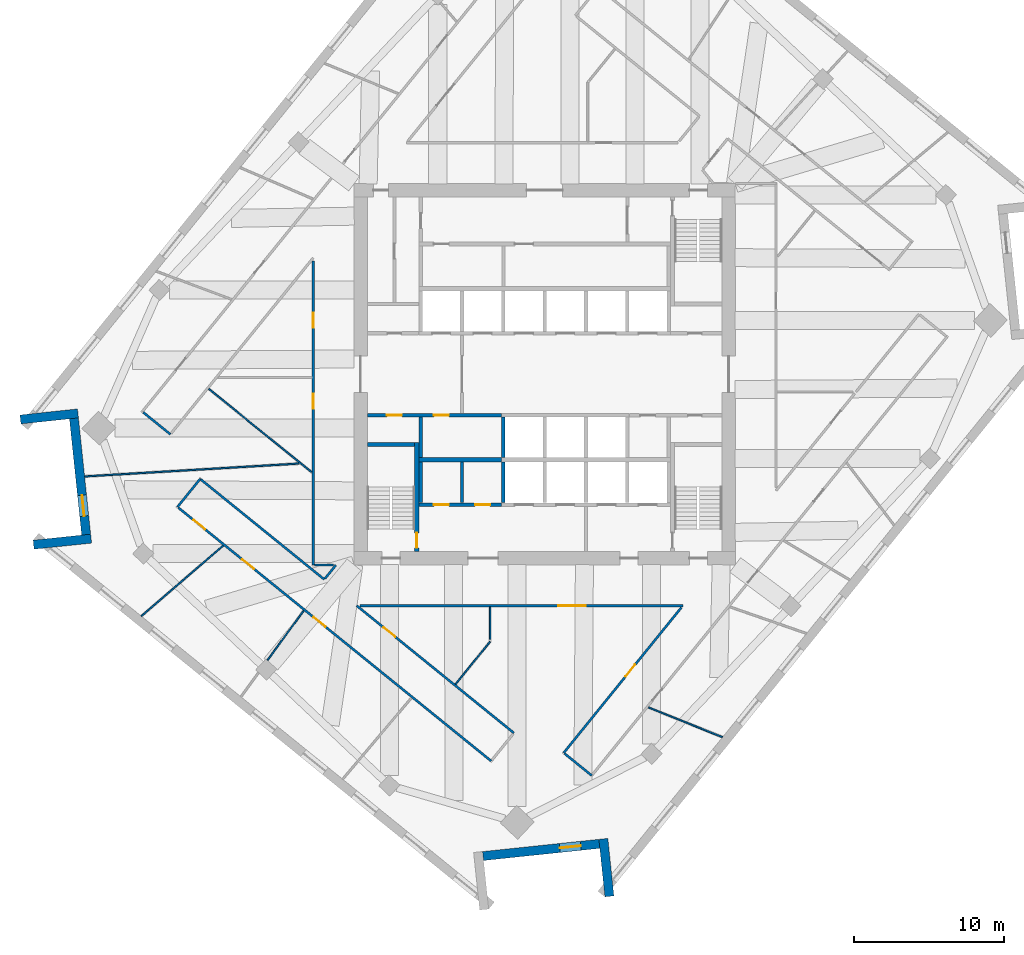
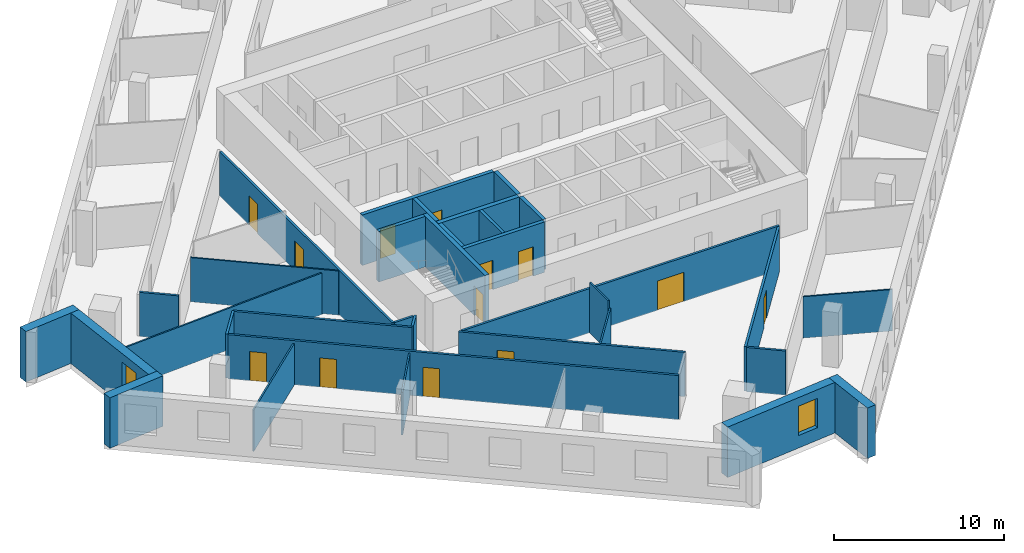
# One storey, part 7 of 14: 33 walls, 13 doors, 2 windows, 15 openings.
"""IFC4 building model written with IfcOpenShell, lengths in metres."""

from ifc_helpers import new_model, si_unit, direction, frame, frame_2d, origin, place, context, subcontext, project, spatial, rectangle, extrude, material, layer, layer_set, type_object, element, fill, save


model = new_model("IFC4")

# Units and contexts
model_context = context("Model", 3, precision=1e-05, world=origin(), true_north=direction((0.0, 1.0)))
body_context = subcontext(model_context, "Body", "Model", "MODEL_VIEW")
ifc_project = project(units=[si_unit("LENGTHUNIT", "METRE"), si_unit("AREAUNIT", "SQUARE_METRE"), si_unit("VOLUMEUNIT", "CUBIC_METRE"), si_unit("PLANEANGLEUNIT", "RADIAN"), si_unit("MASSUNIT", "GRAM", prefix="KILO")], contexts=[model_context])

# Site, building, storey
site_placement = place(None, origin())
site = spatial("IfcSite", under=ifc_project, at=site_placement, CompositionType="ELEMENT")
building_placement = place(site_placement, origin())
building = spatial("IfcBuilding", under=site, at=building_placement, Name="Dilmun Exchange Tower", CompositionType="ELEMENT")
storey_placement = place(building_placement, frame((0.0, 0.0, 233.300048828125)))
storey = spatial("IfcBuildingStorey", under=building, at=storey_placement, Name="L55", CompositionType="ELEMENT", Elevation=233.300048828125)

# Wall
ifc_material_1 = material(Name="Concrete C40/50", Category="concrete")
ifc_layer_1 = layer(ifc_material_1, 0.199951171875)
ifc_layer_set_1 = layer_set([ifc_layer_1], Name="Concrete C40/50")
wall_type_1 = type_object("IfcWallType", Name="Core partition wall 200", PredefinedType="PARTITIONING", material=ifc_layer_set_1)
wall_1_placement = place(storey_placement, frame((-5.5, -8.544921875, 0.0), z_axis=(0.0, 0.0, 1.0), x_axis=(0.0, 1.0, 0.0)))
element("IfcWall", 1, at=wall_1_placement, inside=storey, type_object=wall_type_1, Name="L55 core partition wall 04", PredefinedType="PARTITIONING", context=body_context, shape_type="SweptSolid", body=[
    extrude(rectangle(XDim=2.68994140625, YDim=0.199951171875, at=frame_2d((1.344970703125, 0.0))), origin(), (0.0, 0.0, 1.0), 3.619873046875),
])

# Wall, openings, doors
ifc_layer_2 = layer(ifc_material_1, 0.25)
ifc_layer_set_2 = layer_set([ifc_layer_2], Name="Concrete C40/50")
wall_type_2 = type_object("IfcWallType", Name="Core partition wall 250", PredefinedType="PARTITIONING", material=ifc_layer_set_2)
wall_2_placement = place(storey_placement, frame((-8.3701171875, -8.675048828125, 0.0), z_axis=(0.0, 0.0, 1.0), x_axis=(1.0, 0.0, 0.0)))
wall_2 = element("IfcWall", 2, at=wall_2_placement, inside=storey, type_object=wall_type_2, Name="L55 core partition wall 02", PredefinedType="PARTITIONING", context=body_context, shape_type="SweptSolid", body=[
    extrude(rectangle(XDim=5.490234375, YDim=0.25, at=frame_2d((2.7451171875, 0.0))), origin(), (0.0, 0.0, 1.0), 3.619873046875),
])
opening_1_placement = place(wall_2_placement, frame((0.9951171875, 0.0, 0.0)))
opening_1 = element("IfcOpeningElement", 3, at=opening_1_placement, cuts=wall_2, Name="Opening CD4", PredefinedType="OPENING", context=body_context, shape_type="SweptSolid", body=[
    extrude(rectangle(XDim=1.0, YDim=2.10009765625, at=frame_2d((0.5, 1.050048828125))), frame((0.0, 0.135009765625, 0.0), z_axis=(0.0, -1.0, 0.0), x_axis=(1.0, 0.0, 0.0)), (0.0, 0.0, 1.0), 0.27001953125),
])
opening_2_placement = place(wall_2_placement, frame((3.7451171875, 0.0, 0.0)))
opening_2 = element("IfcOpeningElement", 4, at=opening_2_placement, cuts=wall_2, Name="Opening CD4", PredefinedType="OPENING", context=body_context, shape_type="SweptSolid", body=[
    extrude(rectangle(XDim=1.0, YDim=2.10009765625, at=frame_2d((0.5, 1.050048828125))), frame((0.0, 0.135009765625, 0.0), z_axis=(0.0, -1.0, 0.0), x_axis=(1.0, 0.0, 0.0)), (0.0, 0.0, 1.0), 0.27001953125),
])
ifc_material_2 = material(Name="Fire-rated steel door set", Category="steel")
door_type_1 = type_object("IfcDoorType", Name="Core room door 1000x2100", OperationType="SINGLE_SWING_LEFT", PredefinedType="DOOR", material=ifc_material_2)
door_1_placement = place(opening_1_placement, origin())
door_1 = element("IfcDoor", 5, at=door_1_placement, inside=storey, type_object=door_type_1, Name="L55 door Male WC", OperationType="SINGLE_SWING_RIGHT", OverallHeight=2.10009765625, OverallWidth=1.0, PredefinedType="DOOR", context=body_context, shape_type="SweptSolid", body=[
    extrude(rectangle(XDim=1.0, YDim=2.10009765625, at=frame_2d((0.5, 1.050048828125))), frame((0.0, 0.02490234375, 0.0), z_axis=(0.0, -1.0, 0.0), x_axis=(1.0, 0.0, 0.0)), (0.0, 0.0, 1.0), 0.050048828125),
])
fill(opening_1, door_1)
door_2_placement = place(opening_2_placement, origin())
door_2 = element("IfcDoor", 6, at=door_2_placement, inside=storey, type_object=door_type_1, Name="L55 door Female WC", OperationType="SINGLE_SWING_RIGHT", OverallHeight=2.10009765625, OverallWidth=1.0, PredefinedType="DOOR", context=body_context, shape_type="SweptSolid", body=[
    extrude(rectangle(XDim=1.0, YDim=2.10009765625, at=frame_2d((0.5, 1.050048828125))), frame((0.0, 0.02490234375, 0.0), z_axis=(0.0, -1.0, 0.0), x_axis=(1.0, 0.0, 0.0)), (0.0, 0.0, 1.0), 0.050048828125),
])
fill(opening_2, door_2)

# Walls
for number, where, z_axis, x_axis, name in (
    (7, (-8.25, -8.544921875, 0.0), (0.0, 0.0, 1.0), (0.0, 1.0, 0.0), "L55 core partition wall 03"),
    (8, (-8.25, -5.544921875, 0.0), (0.0, 0.0, 1.0), (0.0, 1.0, 0.0), "L55 core partition wall 06"),
):
    element("IfcWall", number, at=place(storey_placement, frame(where, z_axis=z_axis, x_axis=x_axis)), inside=storey, type_object=wall_type_2, Name=name, PredefinedType="PARTITIONING", context=body_context, shape_type="SweptSolid", body=[
        extrude(rectangle(XDim=2.68994140625, YDim=0.25, at=frame_2d((1.344970703125, 0.0))), origin(), (0.0, 0.0, 1.0), 3.619873046875),
    ])

# Wall, openings, doors
wall_3_placement = place(storey_placement, frame((-11.794921875, -2.72509765625, 0.0), z_axis=(0.0, 0.0, 1.0), x_axis=(1.0, 0.0, 0.0)))
wall_3 = element("IfcWall", 9, at=wall_3_placement, inside=storey, type_object=wall_type_2, Name="L55 core partition wall 08", PredefinedType="PARTITIONING", context=body_context, shape_type="SweptSolid", body=[
    extrude(rectangle(XDim=8.9150390625, YDim=0.25, at=frame_2d((4.45751953125, 0.0))), origin(), (0.0, 0.0, 1.0), 3.619873046875),
])
opening_3_placement = place(wall_3_placement, frame((1.294921875, 0.0, 0.0)))
opening_3 = element("IfcOpeningElement", 10, at=opening_3_placement, cuts=wall_3, Name="Opening CD4", PredefinedType="OPENING", context=body_context, shape_type="SweptSolid", body=[
    extrude(rectangle(XDim=1.0, YDim=2.10009765625, at=frame_2d((0.5, 1.050048828125))), frame((0.0, 0.135009765625, 0.0), z_axis=(0.0, -1.0, 0.0), x_axis=(1.0, 0.0, 0.0)), (0.0, 0.0, 1.0), 0.27001953125),
])
opening_4_placement = place(wall_3_placement, frame((4.419921875, 0.0, 0.0)))
opening_4 = element("IfcOpeningElement", 11, at=opening_4_placement, cuts=wall_3, Name="Opening CD4", PredefinedType="OPENING", context=body_context, shape_type="SweptSolid", body=[
    extrude(rectangle(XDim=1.0, YDim=2.10009765625, at=frame_2d((0.5, 1.050048828125))), frame((0.0, 0.135009765625, 0.0), z_axis=(0.0, -1.0, 0.0), x_axis=(1.0, 0.0, 0.0)), (0.0, 0.0, 1.0), 0.27001953125),
])
door_3_placement = place(opening_3_placement, origin())
door_3 = element("IfcDoor", 12, at=door_3_placement, inside=storey, type_object=door_type_1, Name="L55 door Accessible WC", OperationType="SINGLE_SWING_RIGHT", OverallHeight=2.10009765625, OverallWidth=1.0, PredefinedType="DOOR", context=body_context, shape_type="SweptSolid", body=[
    extrude(rectangle(XDim=1.0, YDim=2.10009765625, at=frame_2d((0.5, 1.050048828125))), frame((0.0, 0.02490234375, 0.0), z_axis=(0.0, -1.0, 0.0), x_axis=(1.0, 0.0, 0.0)), (0.0, 0.0, 1.0), 0.050048828125),
])
fill(opening_3, door_3)
door_4_placement = place(opening_4_placement, origin())
door_4 = element("IfcDoor", 13, at=door_4_placement, inside=storey, type_object=door_type_1, Name="L55 door Switch room", OperationType="SINGLE_SWING_RIGHT", OverallHeight=2.10009765625, OverallWidth=1.0, PredefinedType="DOOR", context=body_context, shape_type="SweptSolid", body=[
    extrude(rectangle(XDim=1.0, YDim=2.10009765625, at=frame_2d((0.5, 1.050048828125))), frame((0.0, 0.02490234375, 0.0), z_axis=(0.0, -1.0, 0.0), x_axis=(1.0, 0.0, 0.0)), (0.0, 0.0, 1.0), 0.050048828125),
])
fill(opening_4, door_4)

# Walls
ifc_layer_3 = layer(ifc_material_1, 0.300048828125)
ifc_layer_set_3 = layer_set([ifc_layer_3], Name="Concrete C40/50")
wall_type_3 = type_object("IfcWallType", Name="Core partition wall 300", PredefinedType="PARTITIONING", material=ifc_layer_set_3)
wall_4_placement = place(storey_placement, frame((-8.35009765625, -5.699951171875, 0.0), z_axis=(0.0, 0.0, 1.0), x_axis=(1.0, 0.0, 0.0)))
element("IfcWall", 14, at=wall_4_placement, inside=storey, type_object=wall_type_3, Name="L55 core partition wall 05", PredefinedType="PARTITIONING", context=body_context, shape_type="SweptSolid", body=[
    extrude(rectangle(XDim=5.47021484375, YDim=0.300048828125, at=frame_2d((2.735107421875, 0.0))), origin(), (0.0, 0.0, 1.0), 3.619873046875),
])
ifc_material_3 = material(Name="Corridor wall 150")
ifc_layer_4 = layer(ifc_material_3, 0.14990234375)
ifc_layer_set_4 = layer_set([ifc_layer_4], Name="Corridor wall 150")
wall_type_4 = type_object("IfcWallType", Name="Corridor wall 150", PredefinedType="PARTITIONING", material=ifc_layer_set_4)
wall_5_placement = place(storey_placement, frame((-26.710693359375, -2.5341796875, 0.0), z_axis=(0.0, 0.0, 1.0), x_axis=(0.777166601342, -0.62929490206, 0.0)))
element("IfcWall", 15, at=wall_5_placement, inside=storey, type_object=wall_type_4, Name="Corridor wall", PredefinedType="PARTITIONING", context=body_context, shape_type="SweptSolid", body=[
    extrude(rectangle(XDim=2.32470703125, YDim=0.14990234375, at=frame_2d((1.162353515625, 0.0))), origin(), (0.0, 0.0, 1.0), 3.169921875),
])
wall_6_placement = place(storey_placement, frame((-24.431884765625, -8.8310546875, 0.0), z_axis=(0.0, 0.0, 1.0), x_axis=(0.629201155621, 0.77724250126, 0.0)))
element("IfcWall", 16, at=wall_6_placement, inside=storey, type_object=wall_type_4, Name="Corridor wall", PredefinedType="PARTITIONING", context=body_context, shape_type="SweptSolid", body=[
    extrude(rectangle(XDim=2.3994140625, YDim=0.14990234375, at=frame_2d((1.19970703125, 0.0))), origin(), (0.0, 0.0, 1.0), 3.169921875),
])

# Wall, openings, doors
wall_7_placement = place(storey_placement, frame((-24.373779296875, -8.878173828125, 0.0), z_axis=(0.0, 0.0, 1.0), x_axis=(0.777132572121, -0.629336925143, 0.0)))
wall_7 = element("IfcWall", 17, at=wall_7_placement, inside=storey, type_object=wall_type_4, Name="Corridor wall", PredefinedType="PARTITIONING", context=body_context, shape_type="SweptSolid", body=[
    extrude(rectangle(XDim=26.78515625, YDim=0.14990234375, at=frame_2d((13.392578125, 0.0))), origin(), (0.0, 0.0, 1.0), 3.169921875),
])
opening_5_placement = place(wall_7_placement, frame((1.300048828125, 0.0, 0.0)))
opening_5 = element("IfcOpeningElement", 18, at=opening_5_placement, cuts=wall_7, Name="Opening TF53-D02", PredefinedType="OPENING", context=body_context, shape_type="SweptSolid", body=[
    extrude(rectangle(XDim=1.0, YDim=2.10009765625, at=frame_2d((0.5, 1.050048828125))), frame((0.0, 0.0849609375, 0.0), z_axis=(0.0, -1.0, 0.0), x_axis=(1.0, 0.0, 0.0)), (0.0, 0.0, 1.0), 0.169921875),
])
opening_6_placement = place(wall_7_placement, frame((5.46142578125, 0.0, 0.0)))
opening_6 = element("IfcOpeningElement", 19, at=opening_6_placement, cuts=wall_7, Name="Opening TF53-D03", PredefinedType="OPENING", context=body_context, shape_type="SweptSolid", body=[
    extrude(rectangle(XDim=1.0, YDim=2.10009765625, at=frame_2d((0.5, 1.050048828125))), frame((0.0, 0.0849609375, 0.0), z_axis=(0.0, -1.0, 0.0), x_axis=(1.0, 0.0, 0.0)), (0.0, 0.0, 1.0), 0.169921875),
])
opening_7_placement = place(wall_7_placement, frame((11.586669921875, 0.0, 0.0)))
opening_7 = element("IfcOpeningElement", 20, at=opening_7_placement, cuts=wall_7, Name="Opening TF53-D08", PredefinedType="OPENING", context=body_context, shape_type="SweptSolid", body=[
    extrude(rectangle(XDim=1.0, YDim=2.10009765625, at=frame_2d((0.5, 1.050048828125))), frame((0.0, 0.0849609375, 0.0), z_axis=(0.0, -1.0, 0.0), x_axis=(1.0, 0.0, 0.0)), (0.0, 0.0, 1.0), 0.169921875),
])
ifc_material_4 = material(Name="Fire door 1000 x 2100")
door_type_2 = type_object("IfcDoorType", Name="Fire door 1000 x 2100", OperationType="NOTDEFINED", PredefinedType="DOOR", material=ifc_material_4)
door_5_placement = place(opening_5_placement, frame((1.0, 0.0, 0.0), z_axis=(0.0, 0.0, 1.0), x_axis=(-1.0, 0.0, 0.0)))
door_5 = element("IfcDoor", 21, at=door_5_placement, inside=storey, type_object=door_type_2, Name="Door TF53-D02", OperationType="SINGLE_SWING_LEFT", OverallHeight=2.10009765625, OverallWidth=1.0, PredefinedType="DOOR", context=body_context, shape_type="SweptSolid", body=[
    extrude(rectangle(XDim=1.0, YDim=2.10009765625, at=frame_2d((0.5, 1.050048828125))), frame((0.0, 0.02490234375, 0.0), z_axis=(0.0, -1.0, 0.0), x_axis=(1.0, 0.0, 0.0)), (0.0, 0.0, 1.0), 0.050048828125),
])
fill(opening_5, door_5)
door_6_placement = place(opening_6_placement, frame((1.0, 0.0, 0.0), z_axis=(0.0, 0.0, 1.0), x_axis=(-1.0, 0.0, 0.0)))
door_6 = element("IfcDoor", 22, at=door_6_placement, inside=storey, type_object=door_type_2, Name="Door TF53-D03", OperationType="SINGLE_SWING_LEFT", OverallHeight=2.10009765625, OverallWidth=1.0, PredefinedType="DOOR", context=body_context, shape_type="SweptSolid", body=[
    extrude(rectangle(XDim=1.0, YDim=2.10009765625, at=frame_2d((0.5, 1.050048828125))), frame((0.0, 0.02490234375, 0.0), z_axis=(0.0, -1.0, 0.0), x_axis=(1.0, 0.0, 0.0)), (0.0, 0.0, 1.0), 0.050048828125),
])
fill(opening_6, door_6)
door_7_placement = place(opening_7_placement, frame((1.0, 0.0, 0.0), z_axis=(0.0, 0.0, 1.0), x_axis=(-1.0, 0.0, 0.0)))
door_7 = element("IfcDoor", 23, at=door_7_placement, inside=storey, type_object=door_type_2, Name="Door TF53-D08", OperationType="SINGLE_SWING_RIGHT", OverallHeight=2.10009765625, OverallWidth=1.0, PredefinedType="DOOR", context=body_context, shape_type="SweptSolid", body=[
    extrude(rectangle(XDim=1.0, YDim=2.10009765625, at=frame_2d((0.5, 1.050048828125))), frame((0.0, 0.02490234375, 0.0), z_axis=(0.0, -1.0, 0.0), x_axis=(1.0, 0.0, 0.0)), (0.0, 0.0, 1.0), 0.050048828125),
])
fill(opening_7, door_7)

# Wall
wall_8_placement = place(storey_placement, frame((-22.922119140625, -6.965087890625, 0.0), z_axis=(0.0, 0.0, 1.0), x_axis=(0.777148029431, -0.629317837306, 0.0)))
element("IfcWall", 24, at=wall_8_placement, inside=storey, type_object=wall_type_4, Name="Corridor wall", PredefinedType="PARTITIONING", context=body_context, shape_type="SweptSolid", body=[
    extrude(rectangle(XDim=10.62744140625, YDim=0.14990234375, at=frame_2d((5.313720703125, 0.0))), origin(), (0.0, 0.0, 1.0), 3.169921875),
])

# Wall, openings, doors
wall_9_placement = place(storey_placement, frame((-15.39990234375, -12.699951171875, 0.0), z_axis=(0.0, 0.0, 1.0), x_axis=(0.0, 1.0, 0.0)))
wall_9 = element("IfcWall", 25, at=wall_9_placement, inside=storey, type_object=wall_type_4, Name="Corridor wall", PredefinedType="PARTITIONING", context=body_context, shape_type="SweptSolid", body=[
    extrude(rectangle(XDim=20.22705078125, YDim=0.14990234375, at=frame_2d((10.113525390625, 0.0))), origin(), (0.0, 0.0, 1.0), 3.169921875),
])
opening_8_placement = place(wall_9_placement, frame((10.399658203125, 0.0, 0.0)))
opening_8 = element("IfcOpeningElement", 26, at=opening_8_placement, cuts=wall_9, Name="Opening TF53-D05", PredefinedType="OPENING", context=body_context, shape_type="SweptSolid", body=[
    extrude(rectangle(XDim=1.0, YDim=2.10009765625, at=frame_2d((0.5, 1.050048828125))), frame((0.0, 0.0849609375, 0.0), z_axis=(0.0, -1.0, 0.0), x_axis=(1.0, 0.0, 0.0)), (0.0, 0.0, 1.0), 0.169921875),
])
opening_9_placement = place(wall_9_placement, frame((15.7841796875, 0.0, 0.0)))
opening_9 = element("IfcOpeningElement", 27, at=opening_9_placement, cuts=wall_9, Name="Opening TF53-D06", PredefinedType="OPENING", context=body_context, shape_type="SweptSolid", body=[
    extrude(rectangle(XDim=1.0, YDim=2.10009765625, at=frame_2d((0.5, 1.050048828125))), frame((0.0, 0.0849609375, 0.0), z_axis=(0.0, -1.0, 0.0), x_axis=(1.0, 0.0, 0.0)), (0.0, 0.0, 1.0), 0.169921875),
])
door_8_placement = place(opening_8_placement, origin())
door_8 = element("IfcDoor", 28, at=door_8_placement, inside=storey, type_object=door_type_2, Name="Door TF53-D05", OperationType="SINGLE_SWING_RIGHT", OverallHeight=2.10009765625, OverallWidth=1.0, PredefinedType="DOOR", context=body_context, shape_type="SweptSolid", body=[
    extrude(rectangle(XDim=1.0, YDim=2.10009765625, at=frame_2d((0.5, 1.050048828125))), frame((0.0, 0.02490234375, 0.0), z_axis=(0.0, -1.0, 0.0), x_axis=(1.0, 0.0, 0.0)), (0.0, 0.0, 1.0), 0.050048828125),
])
fill(opening_8, door_8)
door_9_placement = place(opening_9_placement, origin())
door_9 = element("IfcDoor", 29, at=door_9_placement, inside=storey, type_object=door_type_2, Name="Door TF53-D06", OperationType="SINGLE_SWING_LEFT", OverallHeight=2.10009765625, OverallWidth=1.0, PredefinedType="DOOR", context=body_context, shape_type="SweptSolid", body=[
    extrude(rectangle(XDim=1.0, YDim=2.10009765625, at=frame_2d((0.5, 1.050048828125))), frame((0.0, 0.02490234375, 0.0), z_axis=(0.0, -1.0, 0.0), x_axis=(1.0, 0.0, 0.0)), (0.0, 0.0, 1.0), 0.050048828125),
])
fill(opening_9, door_9)

# Walls
wall_10_placement = place(storey_placement, frame((-15.324951171875, -12.699951171875, 0.0), z_axis=(0.0, 0.0, 1.0), x_axis=(1.0, 0.0, 0.0)))
element("IfcWall", 30, at=wall_10_placement, inside=storey, type_object=wall_type_4, Name="Corridor wall", PredefinedType="PARTITIONING", context=body_context, shape_type="SweptSolid", body=[
    extrude(rectangle(XDim=1.276611328125, YDim=0.14990234375, at=frame_2d((0.63818359375, 0.0))), origin(), (0.0, 0.0, 1.0), 3.169921875),
])
wall_11_placement = place(storey_placement, frame((-14.61572265625, -13.5947265625, 0.0), z_axis=(0.0, 0.0, 1.0), x_axis=(0.629338514223, 0.777131285251, 0.0)))
element("IfcWall", 31, at=wall_11_placement, inside=storey, type_object=wall_type_4, Name="Corridor wall", PredefinedType="PARTITIONING", context=body_context, shape_type="SweptSolid", body=[
    extrude(rectangle(XDim=1.1513671875, YDim=0.14990234375, at=frame_2d((0.57568359375, 0.0))), origin(), (0.0, 0.0, 1.0), 3.169921875),
])

# Wall, opening, door
wall_12_placement = place(storey_placement, frame((-12.5048828125, -15.39990234375, 0.0), z_axis=(0.0, 0.0, 1.0), x_axis=(0.77712909422, -0.629341219783, 0.0)))
wall_12 = element("IfcWall", 32, at=wall_12_placement, inside=storey, type_object=wall_type_4, Name="Corridor wall", PredefinedType="PARTITIONING", context=body_context, shape_type="SweptSolid", body=[
    extrude(rectangle(XDim=13.45703125, YDim=0.14990234375, at=frame_2d((6.728515625, 0.0))), origin(), (0.0, 0.0, 1.0), 3.169921875),
])
opening_10_placement = place(wall_12_placement, frame((2.300048828125, 0.0, 0.0)))
opening_10 = element("IfcOpeningElement", 33, at=opening_10_placement, cuts=wall_12, Name="Opening TF53-D10", PredefinedType="OPENING", context=body_context, shape_type="SweptSolid", body=[
    extrude(rectangle(XDim=1.0, YDim=2.10009765625, at=frame_2d((0.5, 1.050048828125))), frame((0.0, 0.0849609375, 0.0), z_axis=(0.0, -1.0, 0.0), x_axis=(1.0, 0.0, 0.0)), (0.0, 0.0, 1.0), 0.169921875),
])
door_10_placement = place(opening_10_placement, origin())
door_10 = element("IfcDoor", 34, at=door_10_placement, inside=storey, type_object=door_type_2, Name="Door TF53-D10", OperationType="SINGLE_SWING_RIGHT", OverallHeight=2.10009765625, OverallWidth=1.0, PredefinedType="DOOR", context=body_context, shape_type="SweptSolid", body=[
    extrude(rectangle(XDim=1.0, YDim=2.10009765625, at=frame_2d((0.5, 1.050048828125))), frame((0.0, 0.02490234375, 0.0), z_axis=(0.0, -1.0, 0.0), x_axis=(1.0, 0.0, 0.0)), (0.0, 0.0, 1.0), 0.050048828125),
])
fill(opening_10, door_10)

wall_13_placement = place(storey_placement, frame((-12.293212890625, -15.39990234375, 0.0), z_axis=(0.0, 0.0, 1.0), x_axis=(1.0, 0.0, 0.0)))
wall_13 = element("IfcWall", 35, at=wall_13_placement, inside=storey, type_object=wall_type_4, Name="Corridor wall", PredefinedType="PARTITIONING", context=body_context, shape_type="SweptSolid", body=[
    extrude(rectangle(XDim=21.4892578125, YDim=0.14990234375, at=frame_2d((10.74462890625, 0.0))), origin(), (0.0, 0.0, 1.0), 3.169921875),
])
opening_11_placement = place(wall_13_placement, frame((13.21240234375, 0.0, 0.0)))
opening_11 = element("IfcOpeningElement", 36, at=opening_11_placement, cuts=wall_13, Name="Opening TF53-D11", PredefinedType="OPENING", context=body_context, shape_type="SweptSolid", body=[
    extrude(rectangle(XDim=1.800048828125, YDim=2.10009765625, at=frame_2d((0.89990234375, 1.050048828125))), frame((0.0, 0.0849609375, 0.0), z_axis=(0.0, -1.0, 0.0), x_axis=(1.0, 0.0, 0.0)), (0.0, 0.0, 1.0), 0.169921875),
])
ifc_material_5 = material(Name="Fire door pair 1800 x 2100")
door_type_3 = type_object("IfcDoorType", Name="Fire door pair 1800 x 2100", OperationType="NOTDEFINED", PredefinedType="DOOR", material=ifc_material_5)
door_11_placement = place(opening_11_placement, frame((1.800048828125, 0.0, 0.0), z_axis=(0.0, 0.0, 1.0), x_axis=(-1.0, 0.0, 0.0)))
door_11 = element("IfcDoor", 37, at=door_11_placement, inside=storey, type_object=door_type_3, Name="Door TF53-D11", OperationType="DOUBLE_DOOR_SINGLE_SWING", OverallHeight=2.10009765625, OverallWidth=1.800048828125, PredefinedType="DOOR", context=body_context, shape_type="SweptSolid", body=[
    extrude(rectangle(XDim=1.800048828125, YDim=2.10009765625, at=frame_2d((0.89990234375, 1.050048828125))), frame((0.0, 0.02490234375, 0.0), z_axis=(0.0, -1.0, 0.0), x_axis=(1.0, 0.0, 0.0)), (0.0, 0.0, 1.0), 0.050048828125),
])
fill(opening_11, door_11)

wall_14_placement = place(storey_placement, frame((1.26806640625, -25.19091796875, 0.0), z_axis=(0.0, 0.0, 1.0), x_axis=(0.629298143895, 0.777163976321, 0.0)))
wall_14 = element("IfcWall", 38, at=wall_14_placement, inside=storey, type_object=wall_type_4, Name="Corridor wall", PredefinedType="PARTITIONING", context=body_context, shape_type="SweptSolid", body=[
    extrude(rectangle(XDim=12.44091796875, YDim=0.14990234375, at=frame_2d((6.220458984375, 0.0))), origin(), (0.0, 0.0, 1.0), 3.169921875),
])
opening_12_placement = place(wall_14_placement, frame((6.55029296875, 0.0, 0.0)))
opening_12 = element("IfcOpeningElement", 39, at=opening_12_placement, cuts=wall_14, Name="Opening TF53-D12", PredefinedType="OPENING", context=body_context, shape_type="SweptSolid", body=[
    extrude(rectangle(XDim=1.0, YDim=2.10009765625, at=frame_2d((0.5, 1.050048828125))), frame((0.0, 0.0849609375, 0.0), z_axis=(0.0, -1.0, 0.0), x_axis=(1.0, 0.0, 0.0)), (0.0, 0.0, 1.0), 0.169921875),
])
door_12_placement = place(opening_12_placement, origin())
door_12 = element("IfcDoor", 40, at=door_12_placement, inside=storey, type_object=door_type_2, Name="Door TF53-D12", OperationType="SINGLE_SWING_LEFT", OverallHeight=2.10009765625, OverallWidth=1.0, PredefinedType="DOOR", context=body_context, shape_type="SweptSolid", body=[
    extrude(rectangle(XDim=1.0, YDim=2.10009765625, at=frame_2d((0.5, 1.050048828125))), frame((0.0, 0.02490234375, 0.0), z_axis=(0.0, -1.0, 0.0), x_axis=(1.0, 0.0, 0.0)), (0.0, 0.0, 1.0), 0.050048828125),
])
fill(opening_12, door_12)

# Walls
wall_15_placement = place(storey_placement, frame((1.326416015625, -25.23828125, 0.0), z_axis=(0.0, 0.0, 1.0), x_axis=(0.777217965191, -0.629231463441, 0.0)))
element("IfcWall", 41, at=wall_15_placement, inside=storey, type_object=wall_type_4, Name="Corridor wall", PredefinedType="PARTITIONING", context=body_context, shape_type="SweptSolid", body=[
    extrude(rectangle(XDim=2.324462890625, YDim=0.14990234375, at=frame_2d((1.162109375, 0.0))), origin(), (0.0, 0.0, 1.0), 3.169921875),
])
ifc_layer_5 = layer(ifc_material_1, 0.25)
ifc_layer_set_5 = layer_set([ifc_layer_5], Name="Concrete C40/50")
wall_type_5 = type_object("IfcWallType", Name="Lift shaft wall 250", PredefinedType="SOLIDWALL", material=ifc_layer_set_5)
for number, where, z_axis, x_axis, name in (
    (42, (-2.75, -5.550048828125, 0.0), (0.0, 0.0, 1.0), (0.0, 1.0, 0.0), "L55 lift shaft divider S12"),
    (43, (-2.75, -8.550048828125, 0.0), (0.0, 0.0, 1.0), (0.0, 1.0, 0.0), "L55 lift shaft divider S22"),
):
    element("IfcWall", number, at=place(storey_placement, frame(where, z_axis=z_axis, x_axis=x_axis)), inside=storey, type_object=wall_type_5, Name=name, PredefinedType="SOLIDWALL", context=body_context, shape_type="SweptSolid", body=[
        extrude(rectangle(XDim=2.699951171875, YDim=0.25, at=frame_2d((1.35009765625, 0.0))), origin(), (0.0, 0.0, 1.0), 3.619873046875),
    ])
ifc_material_6 = material(Name="Partition 100")
ifc_layer_6 = layer(ifc_material_6, 0.10009765625)
ifc_layer_set_6 = layer_set([ifc_layer_6], Name="Partition 100")
wall_type_6 = type_object("IfcWallType", Name="Partition 100", PredefinedType="PARTITIONING", material=ifc_layer_set_6)
wall_16_placement = place(storey_placement, frame((-30.610107421875, -6.7998046875, 0.0), z_axis=(0.0, 0.0, 1.0), x_axis=(0.998198116096, 0.060004341699, 0.0)))
element("IfcWall", 44, at=wall_16_placement, inside=storey, type_object=wall_type_6, Name="Partition", PredefinedType="PARTITIONING", context=body_context, shape_type="SweptSolid", body=[
    extrude(rectangle(XDim=14.28515625, YDim=0.10009765625, at=frame_2d((7.142578125, 0.0))), origin(), (0.0, 0.0, 1.0), 2.969970703125),
])
wall_17_placement = place(storey_placement, frame((-26.837158203125, -16.095703125, 0.0), z_axis=(0.0, 0.0, 1.0), x_axis=(0.757242011922, 0.653134393046, 0.0)))
element("IfcWall", 45, at=wall_17_placement, inside=storey, type_object=wall_type_6, Name="Partition", PredefinedType="PARTITIONING", context=body_context, shape_type="SweptSolid", body=[
    extrude(rectangle(XDim=7.18994140625, YDim=0.10009765625, at=frame_2d((3.594970703125, 0.0))), origin(), (0.0, 0.0, 1.0), 2.969970703125),
])
wall_18_placement = place(storey_placement, frame((-22.354736328125, -0.96826171875, 0.0), z_axis=(0.0, 0.0, 1.0), x_axis=(0.777138402267, -0.629329725757, 0.0)))
element("IfcWall", 46, at=wall_18_placement, inside=storey, type_object=wall_type_6, Name="Partition", PredefinedType="PARTITIONING", context=body_context, shape_type="SweptSolid", body=[
    extrude(rectangle(XDim=8.81201171875, YDim=0.10009765625, at=frame_2d((4.406005859375, 0.0))), origin(), (0.0, 0.0, 1.0), 3.169921875),
])
wall_19_placement = place(storey_placement, frame((-18.441162109375, -19.0341796875, 0.0), z_axis=(0.0, 0.0, 1.0), x_axis=(0.588267582256, 0.808666341371, 0.0)))
element("IfcWall", 47, at=wall_19_placement, inside=storey, type_object=wall_type_6, Name="Partition", PredefinedType="PARTITIONING", context=body_context, shape_type="SweptSolid", body=[
    extrude(rectangle(XDim=4.08740234375, YDim=0.10009765625, at=frame_2d((2.043701171875, 0.0))), origin(), (0.0, 0.0, 1.0), 3.050048828125),
])
wall_20_placement = place(storey_placement, frame((-5.9296875, -20.628662109375, 0.0), z_axis=(0.0, 0.0, 1.0), x_axis=(0.629175159383, 0.777263545277, 0.0)))
element("IfcWall", 48, at=wall_20_placement, inside=storey, type_object=wall_type_6, Name="Partition", PredefinedType="PARTITIONING", context=body_context, shape_type="SweptSolid", body=[
    extrude(rectangle(XDim=3.6533203125, YDim=0.10009765625, at=frame_2d((1.82666015625, 0.0))), origin(), (0.0, 0.0, 1.0), 3.169921875),
])
wall_21_placement = place(storey_placement, frame((-3.631103515625, -17.647705078125, 0.0), z_axis=(0.0, 0.0, 1.0), x_axis=(0.0, 1.0, 0.0)))
element("IfcWall", 49, at=wall_21_placement, inside=storey, type_object=wall_type_6, Name="Partition", PredefinedType="PARTITIONING", context=body_context, shape_type="SweptSolid", body=[
    extrude(rectangle(XDim=2.172607421875, YDim=0.10009765625, at=frame_2d((1.08642578125, 0.0))), origin(), (0.0, 0.0, 1.0), 3.619873046875),
])
wall_22_placement = place(storey_placement, frame((6.9150390625, -22.173095703125, 0.0), z_axis=(0.0, 0.0, 1.0), x_axis=(0.928028539505, -0.372509100377, 0.0)))
element("IfcWall", 50, at=wall_22_placement, inside=storey, type_object=wall_type_6, Name="Partition", PredefinedType="PARTITIONING", context=body_context, shape_type="SweptSolid", body=[
    extrude(rectangle(XDim=5.305419921875, YDim=0.10009765625, at=frame_2d((2.65283203125, 0.0))), origin(), (0.0, 0.0, 1.0), 2.969970703125),
])
ifc_material_7 = material(Name="Precast concrete C50/60", Category="concrete")
ifc_layer_7 = layer(ifc_material_7, 0.60009765625)
ifc_layer_set_7 = layer_set([ifc_layer_7], Name="Precast concrete C50/60")
wall_type_7 = type_object("IfcWallType", Name="Precast stone-clad wall 600", PredefinedType="STANDARD", material=ifc_layer_set_7)
wall_23_placement = place(storey_placement, frame((-34.87841796875, -3.0087890625, 0.0), z_axis=(0.0, 0.0, 1.0), x_axis=(0.994521092097, 0.104536105602, 0.0)))
element("IfcWall", 51, at=wall_23_placement, inside=storey, type_object=wall_type_7, Name="Facade wall L55-04", PredefinedType="STANDARD", context=body_context, shape_type="SweptSolid", body=[
    extrude(rectangle(XDim=3.846435546875, YDim=0.60009765625, at=frame_2d((1.92333984375, 0.0))), origin(), (0.0, 0.0, 1.0), 3.619873046875),
])

# Wall, opening, window
wall_24_placement = place(storey_placement, frame((-31.320068359375, -2.936279296875, 0.0), z_axis=(0.0, 0.0, 1.0), x_axis=(0.104552439276, -0.994519375096, 0.0)))
wall_24 = element("IfcWall", 52, at=wall_24_placement, inside=storey, type_object=wall_type_7, Name="Facade wall L55-05", PredefinedType="STANDARD", context=body_context, shape_type="SweptSolid", body=[
    extrude(rectangle(XDim=7.7783203125, YDim=0.60009765625, at=frame_2d((3.88916015625, 0.0))), origin(), (0.0, 0.0, 1.0), 3.619873046875),
])
opening_13_placement = place(wall_24_placement, frame((5.133544921875, 0.0, 0.89990234375)))
opening_13 = element("IfcOpeningElement", 53, at=opening_13_placement, cuts=wall_24, Name="Opening W140-210", PredefinedType="OPENING", context=body_context, shape_type="SweptSolid", body=[
    extrude(rectangle(XDim=1.39990234375, YDim=2.10009765625, at=frame_2d((0.699951171875, 1.050048828125))), frame((0.0, 0.31005859375, 0.0), z_axis=(0.0, -1.0, 0.0), x_axis=(1.0, 0.0, 0.0)), (0.0, 0.0, 1.0), 0.6201171875),
])
ifc_material_8 = material(Name="Clear low-emissivity glass in aluminium frame", Category="aluminium")
window_type = type_object("IfcWindowType", Name="Punched window 1400 x 2100", PartitioningType="DOUBLE_PANEL_VERTICAL", PredefinedType="WINDOW", material=ifc_material_8)
window_1_placement = place(opening_13_placement, origin())
window_1 = element("IfcWindow", 54, at=window_1_placement, inside=storey, type_object=window_type, Name="Window 6.2", OverallHeight=2.10009765625, OverallWidth=1.39990234375, PartitioningType="SINGLE_PANEL", PredefinedType="WINDOW", context=body_context, shape_type="SweptSolid", body=[
    extrude(rectangle(XDim=1.39990234375, YDim=2.10009765625, at=frame_2d((0.699951171875, 1.050048828125))), frame((0.0, 0.030029296875, 0.0), z_axis=(0.0, -1.0, 0.0), x_axis=(1.0, 0.0, 0.0)), (0.0, 0.0, 1.0), 0.06005859375),
])
fill(opening_13, window_1)

# Wall
wall_25_placement = place(storey_placement, frame((-30.17724609375, -10.93896484375, 0.0), z_axis=(0.0, 0.0, 1.0), x_axis=(-0.994521092097, -0.104536105602, 0.0)))
element("IfcWall", 55, at=wall_25_placement, inside=storey, type_object=wall_type_7, Name="Facade wall L55-06", PredefinedType="STANDARD", context=body_context, shape_type="SweptSolid", body=[
    extrude(rectangle(XDim=3.846435546875, YDim=0.60009765625, at=frame_2d((1.92333984375, 0.0))), origin(), (0.0, 0.0, 1.0), 3.619873046875),
])

# Wall, opening, window
wall_26_placement = place(storey_placement, frame((-4.095947265625, -32.05908203125, 0.0), z_axis=(0.0, 0.0, 1.0), x_axis=(0.994522638298, 0.104521394525, 0.0)))
wall_26 = element("IfcWall", 56, at=wall_26_placement, inside=storey, type_object=wall_type_7, Name="Facade wall L55-09", PredefinedType="STANDARD", context=body_context, shape_type="SweptSolid", body=[
    extrude(rectangle(XDim=7.7783203125, YDim=0.60009765625, at=frame_2d((3.88916015625, 0.0))), origin(), (0.0, 0.0, 1.0), 3.619873046875),
])
opening_14_placement = place(wall_26_placement, frame((5.133544921875, 0.0, 0.89990234375)))
opening_14 = element("IfcOpeningElement", 57, at=opening_14_placement, cuts=wall_26, Name="Opening W140-210", PredefinedType="OPENING", context=body_context, shape_type="SweptSolid", body=[
    extrude(rectangle(XDim=1.39990234375, YDim=2.10009765625, at=frame_2d((0.699951171875, 1.050048828125))), frame((0.0, 0.31005859375, 0.0), z_axis=(0.0, -1.0, 0.0), x_axis=(1.0, 0.0, 0.0)), (0.0, 0.0, 1.0), 0.6201171875),
])
window_2_placement = place(opening_14_placement, origin())
window_2 = element("IfcWindow", 58, at=window_2_placement, inside=storey, type_object=window_type, Name="Window 10.2", OverallHeight=2.10009765625, OverallWidth=1.39990234375, PartitioningType="SINGLE_PANEL", PredefinedType="WINDOW", context=body_context, shape_type="SweptSolid", body=[
    extrude(rectangle(XDim=1.39990234375, YDim=2.10009765625, at=frame_2d((0.699951171875, 1.050048828125))), frame((0.0, 0.030029296875, 0.0), z_axis=(0.0, -1.0, 0.0), x_axis=(1.0, 0.0, 0.0)), (0.0, 0.0, 1.0), 0.06005859375),
])
fill(opening_14, window_2)

# Walls
wall_27_placement = place(storey_placement, frame((3.906494140625, -30.91650390625, 0.0), z_axis=(0.0, 0.0, 1.0), x_axis=(0.104542704635, -0.994520398437, 0.0)))
element("IfcWall", 59, at=wall_27_placement, inside=storey, type_object=wall_type_7, Name="Facade wall L55-10", PredefinedType="STANDARD", context=body_context, shape_type="SweptSolid", body=[
    extrude(rectangle(XDim=3.84619140625, YDim=0.60009765625, at=frame_2d((1.923095703125, 0.0))), origin(), (0.0, 0.0, 1.0), 3.619873046875),
])
ifc_layer_8 = layer(ifc_material_1, 0.25)
ifc_layer_set_8 = layer_set([ifc_layer_8], Name="Concrete C40/50")
wall_type_8 = type_object("IfcWallType", Name="Stair end wall 250", PredefinedType="SOLIDWALL", material=ifc_layer_set_8)
wall_28_placement = place(storey_placement, frame((-8.64990234375, -4.675048828125, 0.0), z_axis=(0.0, 0.0, 1.0), x_axis=(-1.0, 0.0, 0.0)))
element("IfcWall", 60, at=wall_28_placement, inside=storey, type_object=wall_type_8, Name="L55 ST2 far wall", PredefinedType="SOLIDWALL", context=body_context, shape_type="SweptSolid", body=[
    extrude(rectangle(XDim=3.150146484375, YDim=0.25, at=frame_2d((1.5751953125, 0.0))), origin(), (0.0, 0.0, 1.0), 3.619873046875),
])

# Wall, opening, door
ifc_layer_9 = layer(ifc_material_1, 0.27490234375)
ifc_layer_set_9 = layer_set([ifc_layer_9], Name="Concrete C40/50")
wall_type_9 = type_object("IfcWallType", Name="Stair wall 275", PredefinedType="SOLIDWALL", material=ifc_layer_set_9)
wall_29_placement = place(storey_placement, frame((-8.512451171875, -4.550048828125, 0.0), z_axis=(0.0, 0.0, 1.0), x_axis=(0.0, -1.0, 0.0)))
wall_29 = element("IfcWall", 61, at=wall_29_placement, inside=storey, type_object=wall_type_9, Name="L55 ST2 wall to lift block", PredefinedType="SOLIDWALL", context=body_context, shape_type="SweptSolid", body=[
    extrude(rectangle(XDim=7.25, YDim=0.27490234375, at=frame_2d((3.625, 0.0))), origin(), (0.0, 0.0, 1.0), 3.619873046875),
])
opening_15_placement = place(wall_29_placement, frame((6.0, 0.0, 0.0)))
opening_15 = element("IfcOpeningElement", 62, at=opening_15_placement, cuts=wall_29, Name="Opening CD4", PredefinedType="OPENING", context=body_context, shape_type="SweptSolid", body=[
    extrude(rectangle(XDim=1.0, YDim=2.10009765625, at=frame_2d((0.5, 1.050048828125))), frame((0.0, 0.1474609375, 0.0), z_axis=(0.0, -1.0, 0.0), x_axis=(1.0, 0.0, 0.0)), (0.0, 0.0, 1.0), 0.294921875),
])
door_13_placement = place(opening_15_placement, origin())
door_13 = element("IfcDoor", 63, at=door_13_placement, inside=storey, type_object=door_type_1, Name="L55 door ST2 from lobby", OperationType="SINGLE_SWING_LEFT", OverallHeight=2.10009765625, OverallWidth=1.0, PredefinedType="DOOR", context=body_context, shape_type="SweptSolid", body=[
    extrude(rectangle(XDim=1.0, YDim=2.10009765625, at=frame_2d((0.5, 1.050048828125))), frame((0.0, 0.02490234375, 0.0), z_axis=(0.0, -1.0, 0.0), x_axis=(1.0, 0.0, 0.0)), (0.0, 0.0, 1.0), 0.050048828125),
])
fill(opening_15, door_13)

save(model, "model.ifc")
